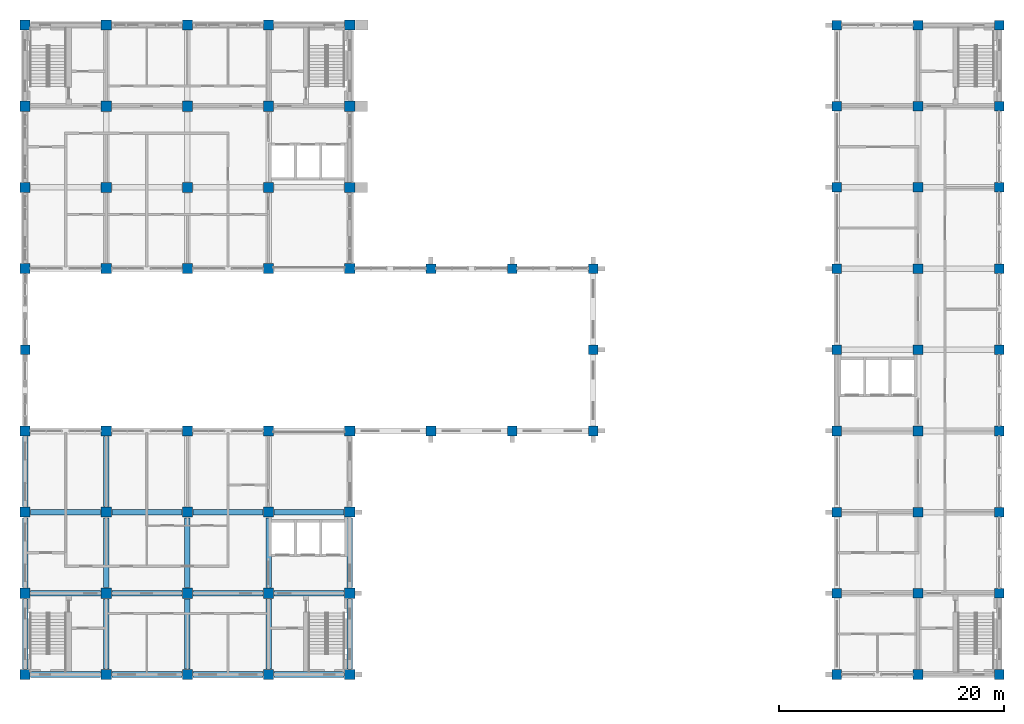
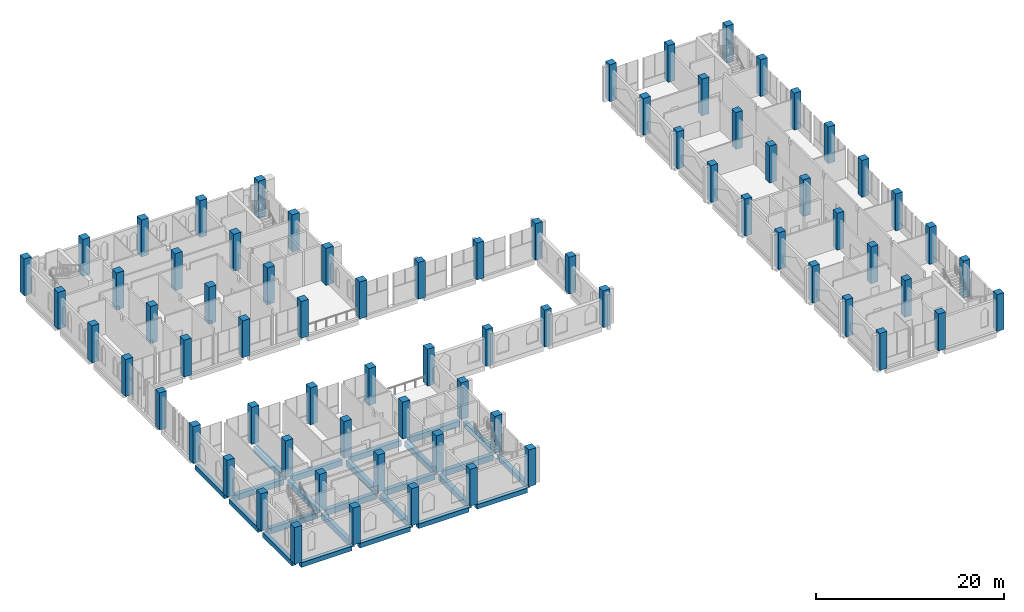
# One storey, part 1 of 40: 75 columns, 24 beams.
"""IFC4 building model written with IfcOpenShell, lengths in metres."""

from ifc_helpers import new_model, si_unit, direction, frame, origin, origin_2d, place, context, subcontext, project, spatial, rectangle, extrude, material, material_profile, profile_set, type_object, element, save


model = new_model("IFC4")

# Units and contexts
model_context = context("Model", 3, precision=1e-05, world=origin(), true_north=direction((0.0, 1.0)))
body_context = subcontext(model_context, "Body", "Model", "MODEL_VIEW")
ifc_project = project(units=[si_unit("LENGTHUNIT", "METRE"), si_unit("AREAUNIT", "SQUARE_METRE"), si_unit("VOLUMEUNIT", "CUBIC_METRE"), si_unit("PLANEANGLEUNIT", "RADIAN"), si_unit("MASSUNIT", "GRAM", prefix="KILO")], contexts=[model_context])

# Site, building, storey
site_placement = place(None, origin())
site = spatial("IfcSite", under=ifc_project, at=site_placement, CompositionType="ELEMENT")
building_placement = place(site_placement, origin())
building = spatial("IfcBuilding", under=site, at=building_placement, Name="Silangan Lancet Faculty of Sciences", CompositionType="ELEMENT")
storey_placement = place(building_placement, frame((0.0, 0.0, 16.800048828125)))
storey = spatial("IfcBuildingStorey", under=building, at=storey_placement, Name="L03", CompositionType="ELEMENT", Elevation=16.800048828125)

# Columns
ifc_material_1 = material(Name="Concrete C40/50", Category="concrete")
ifc_material_profile_1 = material_profile(ifc_material_1, rectangle(XDim=0.85009765625, YDim=0.85009765625, at=origin_2d()), Name="RC 850x850")
ifc_profile_set_1 = profile_set([ifc_material_profile_1], Name="Concrete C40/50")
column_type_1 = type_object("IfcColumnType", Name="COLUMN RC 850x850", PredefinedType="COLUMN", material=ifc_profile_set_1)
for number, where, z_axis, x_axis, name in (
    (1, (0.0, 28.800048828125, 0.0), (0.0, 0.0, 1.0), (1.0, 0.0, 0.0), "COL-L03-1E"),
    (2, (36.0, 21.60009765625, 0.0), (0.0, 0.0, 1.0), (1.0, 0.0, 0.0), "COL-L03-6D"),
    (3, (36.0, 36.0, 0.0), (0.0, 0.0, 1.0), (1.0, 0.0, 0.0), "COL-L03-6F"),
    (4, (43.199951171875, 21.60009765625, 0.0), (0.0, 0.0, 1.0), (1.0, 0.0, 0.0), "COL-L03-7D"),
    (5, (43.199951171875, 36.0, 0.0), (0.0, 0.0, 1.0), (1.0, 0.0, 0.0), "COL-L03-7F"),
    (6, (50.39990234375, 21.60009765625, 0.0), (0.0, 0.0, 1.0), (1.0, 0.0, 0.0), "COL-L03-8D"),
    (7, (50.39990234375, 28.800048828125, 0.0), (0.0, 0.0, 1.0), (1.0, 0.0, 0.0), "COL-L03-8E"),
    (8, (50.39990234375, 36.0, 0.0), (0.0, 0.0, 1.0), (1.0, 0.0, 0.0), "COL-L03-8F"),
    (9, (72.0, 0.0, 0.0), (0.0, 0.0, 1.0), (1.0, 0.0, 0.0), "COL-L03-11A"),
    (10, (72.0, 7.199951171875, 0.0), (0.0, 0.0, 1.0), (1.0, 0.0, 0.0), "COL-L03-11B"),
    (11, (72.0, 14.39990234375, 0.0), (0.0, 0.0, 1.0), (1.0, 0.0, 0.0), "COL-L03-11C"),
    (12, (72.0, 21.60009765625, 0.0), (0.0, 0.0, 1.0), (1.0, 0.0, 0.0), "COL-L03-11D"),
    (13, (72.0, 28.800048828125, 0.0), (0.0, 0.0, 1.0), (1.0, 0.0, 0.0), "COL-L03-11E"),
    (14, (72.0, 36.0, 0.0), (0.0, 0.0, 1.0), (1.0, 0.0, 0.0), "COL-L03-11F"),
    (15, (72.0, 43.199951171875, 0.0), (0.0, 0.0, 1.0), (1.0, 0.0, 0.0), "COL-L03-11G"),
    (16, (72.0, 50.39990234375, 0.0), (0.0, 0.0, 1.0), (1.0, 0.0, 0.0), "COL-L03-11H"),
    (17, (72.0, 57.60009765625, 0.0), (0.0, 0.0, 1.0), (1.0, 0.0, 0.0), "COL-L03-11I"),
    (18, (79.199951171875, 0.0, 0.0), (0.0, 0.0, 1.0), (1.0, 0.0, 0.0), "COL-L03-12A"),
    (19, (79.199951171875, 7.199951171875, 0.0), (0.0, 0.0, 1.0), (1.0, 0.0, 0.0), "COL-L03-12B"),
    (20, (79.199951171875, 14.39990234375, 0.0), (0.0, 0.0, 1.0), (1.0, 0.0, 0.0), "COL-L03-12C"),
    (21, (79.199951171875, 21.60009765625, 0.0), (0.0, 0.0, 1.0), (1.0, 0.0, 0.0), "COL-L03-12D"),
    (22, (79.199951171875, 28.800048828125, 0.0), (0.0, 0.0, 1.0), (1.0, 0.0, 0.0), "COL-L03-12E"),
    (23, (79.199951171875, 36.0, 0.0), (0.0, 0.0, 1.0), (1.0, 0.0, 0.0), "COL-L03-12F"),
    (24, (79.199951171875, 43.199951171875, 0.0), (0.0, 0.0, 1.0), (1.0, 0.0, 0.0), "COL-L03-12G"),
    (25, (79.199951171875, 50.39990234375, 0.0), (0.0, 0.0, 1.0), (1.0, 0.0, 0.0), "COL-L03-12H"),
    (26, (79.199951171875, 57.60009765625, 0.0), (0.0, 0.0, 1.0), (1.0, 0.0, 0.0), "COL-L03-12I"),
    (27, (86.39990234375, 0.0, 0.0), (0.0, 0.0, 1.0), (1.0, 0.0, 0.0), "COL-L03-13A"),
    (28, (86.39990234375, 7.199951171875, 0.0), (0.0, 0.0, 1.0), (1.0, 0.0, 0.0), "COL-L03-13B"),
    (29, (86.39990234375, 14.39990234375, 0.0), (0.0, 0.0, 1.0), (1.0, 0.0, 0.0), "COL-L03-13C"),
    (30, (86.39990234375, 21.60009765625, 0.0), (0.0, 0.0, 1.0), (1.0, 0.0, 0.0), "COL-L03-13D"),
    (31, (86.39990234375, 28.800048828125, 0.0), (0.0, 0.0, 1.0), (1.0, 0.0, 0.0), "COL-L03-13E"),
    (32, (86.39990234375, 36.0, 0.0), (0.0, 0.0, 1.0), (1.0, 0.0, 0.0), "COL-L03-13F"),
    (33, (86.39990234375, 43.199951171875, 0.0), (0.0, 0.0, 1.0), (1.0, 0.0, 0.0), "COL-L03-13G"),
    (34, (86.39990234375, 50.39990234375, 0.0), (0.0, 0.0, 1.0), (1.0, 0.0, 0.0), "COL-L03-13H"),
    (35, (86.39990234375, 57.60009765625, 0.0), (0.0, 0.0, 1.0), (1.0, 0.0, 0.0), "COL-L03-13I"),
):
    element("IfcColumn", number, at=place(storey_placement, frame(where, z_axis=z_axis, x_axis=x_axis)), inside=storey, type_object=column_type_1, Name=name, PredefinedType="COLUMN", context=body_context, shape_type="SweptSolid", body=[
        extrude(rectangle(XDim=0.85009765625, YDim=0.85009765625, at=origin_2d()), origin(), (0.0, 0.0, 1.0), 4.800048828125),
    ])
ifc_material_2 = material(Name="Concrete C50/60", Category="concrete")
ifc_material_profile_2 = material_profile(ifc_material_2, rectangle(XDim=0.89990234375, YDim=0.89990234375, at=origin_2d()), Name="RC 900x900")
ifc_profile_set_2 = profile_set([ifc_material_profile_2], Name="Concrete C50/60")
column_type_2 = type_object("IfcColumnType", Name="COLUMN RC 900x900", PredefinedType="COLUMN", material=ifc_profile_set_2)
for number, where, z_axis, x_axis, name in (
    (36, (0.0, 0.0, 0.0), (0.0, 0.0, 1.0), (1.0, 0.0, 0.0), "COL-L03-1A"),
    (37, (0.0, 7.199951171875, 0.0), (0.0, 0.0, 1.0), (1.0, 0.0, 0.0), "COL-L03-1B"),
    (38, (0.0, 14.39990234375, 0.0), (0.0, 0.0, 1.0), (1.0, 0.0, 0.0), "COL-L03-1C"),
    (39, (0.0, 21.60009765625, 0.0), (0.0, 0.0, 1.0), (1.0, 0.0, 0.0), "COL-L03-1D"),
    (40, (0.0, 36.0, 0.0), (0.0, 0.0, 1.0), (1.0, 0.0, 0.0), "COL-L03-1F"),
    (41, (0.0, 43.199951171875, 0.0), (0.0, 0.0, 1.0), (1.0, 0.0, 0.0), "COL-L03-1G"),
    (42, (0.0, 50.39990234375, 0.0), (0.0, 0.0, 1.0), (1.0, 0.0, 0.0), "COL-L03-1H"),
    (43, (0.0, 57.60009765625, 0.0), (0.0, 0.0, 1.0), (1.0, 0.0, 0.0), "COL-L03-1I"),
    (44, (7.199951171875, 0.0, 0.0), (0.0, 0.0, 1.0), (1.0, 0.0, 0.0), "COL-L03-2A"),
    (45, (7.199951171875, 7.199951171875, 0.0), (0.0, 0.0, 1.0), (1.0, 0.0, 0.0), "COL-L03-2B"),
    (46, (7.199951171875, 14.39990234375, 0.0), (0.0, 0.0, 1.0), (1.0, 0.0, 0.0), "COL-L03-2C"),
    (47, (7.199951171875, 21.60009765625, 0.0), (0.0, 0.0, 1.0), (1.0, 0.0, 0.0), "COL-L03-2D"),
    (48, (7.199951171875, 36.0, 0.0), (0.0, 0.0, 1.0), (1.0, 0.0, 0.0), "COL-L03-2F"),
    (49, (7.199951171875, 43.199951171875, 0.0), (0.0, 0.0, 1.0), (1.0, 0.0, 0.0), "COL-L03-2G"),
    (50, (7.199951171875, 50.39990234375, 0.0), (0.0, 0.0, 1.0), (1.0, 0.0, 0.0), "COL-L03-2H"),
    (51, (7.199951171875, 57.60009765625, 0.0), (0.0, 0.0, 1.0), (1.0, 0.0, 0.0), "COL-L03-2I"),
    (52, (14.39990234375, 0.0, 0.0), (0.0, 0.0, 1.0), (1.0, 0.0, 0.0), "COL-L03-3A"),
    (53, (14.39990234375, 7.199951171875, 0.0), (0.0, 0.0, 1.0), (1.0, 0.0, 0.0), "COL-L03-3B"),
    (54, (14.39990234375, 14.39990234375, 0.0), (0.0, 0.0, 1.0), (1.0, 0.0, 0.0), "COL-L03-3C"),
    (55, (14.39990234375, 21.60009765625, 0.0), (0.0, 0.0, 1.0), (1.0, 0.0, 0.0), "COL-L03-3D"),
    (56, (14.39990234375, 36.0, 0.0), (0.0, 0.0, 1.0), (1.0, 0.0, 0.0), "COL-L03-3F"),
    (57, (14.39990234375, 43.199951171875, 0.0), (0.0, 0.0, 1.0), (1.0, 0.0, 0.0), "COL-L03-3G"),
    (58, (14.39990234375, 50.39990234375, 0.0), (0.0, 0.0, 1.0), (1.0, 0.0, 0.0), "COL-L03-3H"),
    (59, (14.39990234375, 57.60009765625, 0.0), (0.0, 0.0, 1.0), (1.0, 0.0, 0.0), "COL-L03-3I"),
    (60, (21.60009765625, 0.0, 0.0), (0.0, 0.0, 1.0), (1.0, 0.0, 0.0), "COL-L03-4A"),
    (61, (21.60009765625, 7.199951171875, 0.0), (0.0, 0.0, 1.0), (1.0, 0.0, 0.0), "COL-L03-4B"),
    (62, (21.60009765625, 14.39990234375, 0.0), (0.0, 0.0, 1.0), (1.0, 0.0, 0.0), "COL-L03-4C"),
    (63, (21.60009765625, 21.60009765625, 0.0), (0.0, 0.0, 1.0), (1.0, 0.0, 0.0), "COL-L03-4D"),
    (64, (21.60009765625, 36.0, 0.0), (0.0, 0.0, 1.0), (1.0, 0.0, 0.0), "COL-L03-4F"),
    (65, (21.60009765625, 43.199951171875, 0.0), (0.0, 0.0, 1.0), (1.0, 0.0, 0.0), "COL-L03-4G"),
    (66, (21.60009765625, 50.39990234375, 0.0), (0.0, 0.0, 1.0), (1.0, 0.0, 0.0), "COL-L03-4H"),
    (67, (21.60009765625, 57.60009765625, 0.0), (0.0, 0.0, 1.0), (1.0, 0.0, 0.0), "COL-L03-4I"),
    (68, (28.800048828125, 0.0, 0.0), (0.0, 0.0, 1.0), (1.0, 0.0, 0.0), "COL-L03-5A"),
    (69, (28.800048828125, 7.199951171875, 0.0), (0.0, 0.0, 1.0), (1.0, 0.0, 0.0), "COL-L03-5B"),
    (70, (28.800048828125, 14.39990234375, 0.0), (0.0, 0.0, 1.0), (1.0, 0.0, 0.0), "COL-L03-5C"),
    (71, (28.800048828125, 21.60009765625, 0.0), (0.0, 0.0, 1.0), (1.0, 0.0, 0.0), "COL-L03-5D"),
    (72, (28.800048828125, 36.0, 0.0), (0.0, 0.0, 1.0), (1.0, 0.0, 0.0), "COL-L03-5F"),
    (73, (28.800048828125, 43.199951171875, 0.0), (0.0, 0.0, 1.0), (1.0, 0.0, 0.0), "COL-L03-5G"),
    (74, (28.800048828125, 50.39990234375, 0.0), (0.0, 0.0, 1.0), (1.0, 0.0, 0.0), "COL-L03-5H"),
    (75, (28.800048828125, 57.60009765625, 0.0), (0.0, 0.0, 1.0), (1.0, 0.0, 0.0), "COL-L03-5I"),
):
    element("IfcColumn", number, at=place(storey_placement, frame(where, z_axis=z_axis, x_axis=x_axis)), inside=storey, type_object=column_type_2, Name=name, PredefinedType="COLUMN", context=body_context, shape_type="SweptSolid", body=[
        extrude(rectangle(XDim=0.89990234375, YDim=0.89990234375, at=origin_2d()), origin(), (0.0, 0.0, 1.0), 4.800048828125),
    ])

# Beams
ifc_material_3 = material(Name="Concrete C40/50", Category="concrete")
ifc_material_profile_3 = material_profile(ifc_material_3, rectangle(XDim=0.5, YDim=0.60009765625, at=origin_2d()), Name="RC 500x600")
ifc_profile_set_3 = profile_set([ifc_material_profile_3], Name="Concrete C40/50")
beam_type_1 = type_object("IfcBeamType", Name="BEAM RC 500x600", PredefinedType="BEAM", material=ifc_profile_set_3)
for number, where, z_axis, x_axis, name in (
    (76, (0.5, 0.0, -0.550048828125), (1.0, 0.0, 0.0), (0.0, 1.0, 0.0), "BM-L03-1A-2A"),
    (77, (7.699951171875, 0.0, -0.550048828125), (1.0, 0.0, 0.0), (0.0, 1.0, 0.0), "BM-L03-2A-3A"),
):
    element("IfcBeam", number, at=place(storey_placement, frame(where, z_axis=z_axis, x_axis=x_axis)), inside=storey, type_object=beam_type_1, Name=name, PredefinedType="BEAM", context=body_context, shape_type="SweptSolid", body=[
        extrude(rectangle(XDim=0.5, YDim=0.60009765625, at=origin_2d()), origin(), (0.0, 0.0, 1.0), 6.199951171875),
    ])
beam_1_placement = place(storey_placement, frame((14.89990234375, 0.0, -0.550048828125), z_axis=(1.0, 0.0, 0.0), x_axis=(0.0, 1.0, 0.0)))
element("IfcBeam", 78, at=beam_1_placement, inside=storey, type_object=beam_type_1, Name="BM-L03-3A-4A", PredefinedType="BEAM", context=body_context, shape_type="SweptSolid", body=[
    extrude(rectangle(XDim=0.5, YDim=0.60009765625, at=origin_2d()), origin(), (0.0, 0.0, 1.0), 6.2001953125),
])
for number, where, z_axis, x_axis, name in (
    (79, (22.10009765625, 0.0, -0.550048828125), (1.0, 0.0, 0.0), (0.0, 1.0, 0.0), "BM-L03-4A-5A"),
    (80, (0.0, 0.5, -0.550048828125), (0.0, 1.0, 0.0), (-1.0, 0.0, 0.0), "BM-L03-1A-1B"),
    (81, (0.0, 7.699951171875, -0.550048828125), (0.0, 1.0, 0.0), (-1.0, 0.0, 0.0), "BM-L03-1B-1C"),
):
    element("IfcBeam", number, at=place(storey_placement, frame(where, z_axis=z_axis, x_axis=x_axis)), inside=storey, type_object=beam_type_1, Name=name, PredefinedType="BEAM", context=body_context, shape_type="SweptSolid", body=[
        extrude(rectangle(XDim=0.5, YDim=0.60009765625, at=origin_2d()), origin(), (0.0, 0.0, 1.0), 6.199951171875),
    ])
beam_2_placement = place(storey_placement, frame((0.0, 14.89990234375, -0.550048828125), z_axis=(0.0, 1.0, 0.0), x_axis=(-1.0, 0.0, 0.0)))
element("IfcBeam", 82, at=beam_2_placement, inside=storey, type_object=beam_type_1, Name="BM-L03-1C-1D", PredefinedType="BEAM", context=body_context, shape_type="SweptSolid", body=[
    extrude(rectangle(XDim=0.5, YDim=0.60009765625, at=origin_2d()), origin(), (0.0, 0.0, 1.0), 6.2001953125),
])
for number, where, z_axis, x_axis, name in (
    (83, (28.800048828125, 0.5, -0.550048828125), (0.0, 1.0, 0.0), (-1.0, 0.0, 0.0), "BM-L03-5A-5B"),
    (84, (28.800048828125, 7.699951171875, -0.550048828125), (0.0, 1.0, 0.0), (-1.0, 0.0, 0.0), "BM-L03-5B-5C"),
):
    element("IfcBeam", number, at=place(storey_placement, frame(where, z_axis=z_axis, x_axis=x_axis)), inside=storey, type_object=beam_type_1, Name=name, PredefinedType="BEAM", context=body_context, shape_type="SweptSolid", body=[
        extrude(rectangle(XDim=0.5, YDim=0.60009765625, at=origin_2d()), origin(), (0.0, 0.0, 1.0), 6.199951171875),
    ])
ifc_material_4 = material(Name="Concrete C40/50", Category="concrete")
ifc_material_profile_4 = material_profile(ifc_material_4, rectangle(XDim=0.5, YDim=0.75, at=origin_2d()), Name="RC 500x750")
ifc_profile_set_4 = profile_set([ifc_material_profile_4], Name="Concrete C40/50")
beam_type_2 = type_object("IfcBeamType", Name="BEAM RC 500x750", PredefinedType="BEAM", material=ifc_profile_set_4)
for number, where, z_axis, x_axis, name in (
    (85, (0.5, 7.199951171875, -0.625), (1.0, 0.0, 0.0), (0.0, 1.0, 0.0), "BM-L03-1B-2B"),
    (86, (7.699951171875, 7.199951171875, -0.625), (1.0, 0.0, 0.0), (0.0, 1.0, 0.0), "BM-L03-2B-3B"),
):
    element("IfcBeam", number, at=place(storey_placement, frame(where, z_axis=z_axis, x_axis=x_axis)), inside=storey, type_object=beam_type_2, Name=name, PredefinedType="BEAM", context=body_context, shape_type="SweptSolid", body=[
        extrude(rectangle(XDim=0.5, YDim=0.75, at=origin_2d()), origin(), (0.0, 0.0, 1.0), 6.199951171875),
    ])
beam_3_placement = place(storey_placement, frame((14.89990234375, 7.199951171875, -0.625), z_axis=(1.0, 0.0, 0.0), x_axis=(0.0, 1.0, 0.0)))
element("IfcBeam", 87, at=beam_3_placement, inside=storey, type_object=beam_type_2, Name="BM-L03-3B-4B", PredefinedType="BEAM", context=body_context, shape_type="SweptSolid", body=[
    extrude(rectangle(XDim=0.5, YDim=0.75, at=origin_2d()), origin(), (0.0, 0.0, 1.0), 6.2001953125),
])
for number, where, z_axis, x_axis, name in (
    (88, (22.10009765625, 7.199951171875, -0.625), (1.0, 0.0, 0.0), (0.0, 1.0, 0.0), "BM-L03-4B-5B"),
    (89, (0.5, 14.39990234375, -0.625), (1.0, 0.0, 0.0), (0.0, 1.0, 0.0), "BM-L03-1C-2C"),
    (90, (7.699951171875, 14.39990234375, -0.625), (1.0, 0.0, 0.0), (0.0, 1.0, 0.0), "BM-L03-2C-3C"),
):
    element("IfcBeam", number, at=place(storey_placement, frame(where, z_axis=z_axis, x_axis=x_axis)), inside=storey, type_object=beam_type_2, Name=name, PredefinedType="BEAM", context=body_context, shape_type="SweptSolid", body=[
        extrude(rectangle(XDim=0.5, YDim=0.75, at=origin_2d()), origin(), (0.0, 0.0, 1.0), 6.199951171875),
    ])
beam_4_placement = place(storey_placement, frame((14.89990234375, 14.39990234375, -0.625), z_axis=(1.0, 0.0, 0.0), x_axis=(0.0, 1.0, 0.0)))
element("IfcBeam", 91, at=beam_4_placement, inside=storey, type_object=beam_type_2, Name="BM-L03-3C-4C", PredefinedType="BEAM", context=body_context, shape_type="SweptSolid", body=[
    extrude(rectangle(XDim=0.5, YDim=0.75, at=origin_2d()), origin(), (0.0, 0.0, 1.0), 6.2001953125),
])
for number, where, z_axis, x_axis, name in (
    (92, (22.10009765625, 14.39990234375, -0.625), (1.0, 0.0, 0.0), (0.0, 1.0, 0.0), "BM-L03-4C-5C"),
    (93, (7.199951171875, 0.5, -0.625), (0.0, 1.0, 0.0), (-1.0, 0.0, 0.0), "BM-L03-2A-2B"),
    (94, (7.199951171875, 7.699951171875, -0.625), (0.0, 1.0, 0.0), (-1.0, 0.0, 0.0), "BM-L03-2B-2C"),
):
    element("IfcBeam", number, at=place(storey_placement, frame(where, z_axis=z_axis, x_axis=x_axis)), inside=storey, type_object=beam_type_2, Name=name, PredefinedType="BEAM", context=body_context, shape_type="SweptSolid", body=[
        extrude(rectangle(XDim=0.5, YDim=0.75, at=origin_2d()), origin(), (0.0, 0.0, 1.0), 6.199951171875),
    ])
beam_5_placement = place(storey_placement, frame((7.199951171875, 14.89990234375, -0.625), z_axis=(0.0, 1.0, 0.0), x_axis=(-1.0, 0.0, 0.0)))
element("IfcBeam", 95, at=beam_5_placement, inside=storey, type_object=beam_type_2, Name="BM-L03-2C-2D", PredefinedType="BEAM", context=body_context, shape_type="SweptSolid", body=[
    extrude(rectangle(XDim=0.5, YDim=0.75, at=origin_2d()), origin(), (0.0, 0.0, 1.0), 6.2001953125),
])
for number, where, z_axis, x_axis, name in (
    (96, (14.39990234375, 0.5, -0.625), (0.0, 1.0, 0.0), (-1.0, 0.0, 0.0), "BM-L03-3A-3B"),
    (97, (14.39990234375, 7.699951171875, -0.625), (0.0, 1.0, 0.0), (-1.0, 0.0, 0.0), "BM-L03-3B-3C"),
    (98, (21.60009765625, 0.5, -0.625), (0.0, 1.0, 0.0), (-1.0, 0.0, 0.0), "BM-L03-4A-4B"),
    (99, (21.60009765625, 7.699951171875, -0.625), (0.0, 1.0, 0.0), (-1.0, 0.0, 0.0), "BM-L03-4B-4C"),
):
    element("IfcBeam", number, at=place(storey_placement, frame(where, z_axis=z_axis, x_axis=x_axis)), inside=storey, type_object=beam_type_2, Name=name, PredefinedType="BEAM", context=body_context, shape_type="SweptSolid", body=[
        extrude(rectangle(XDim=0.5, YDim=0.75, at=origin_2d()), origin(), (0.0, 0.0, 1.0), 6.199951171875),
    ])

save(model, "model.ifc")
